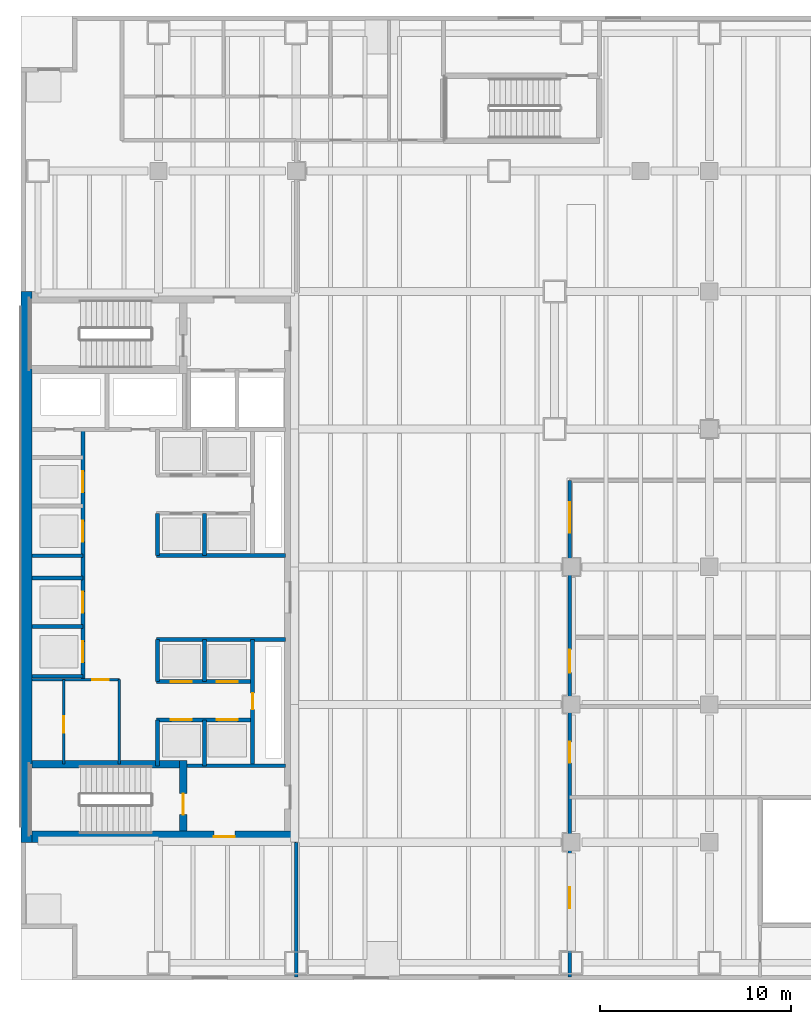
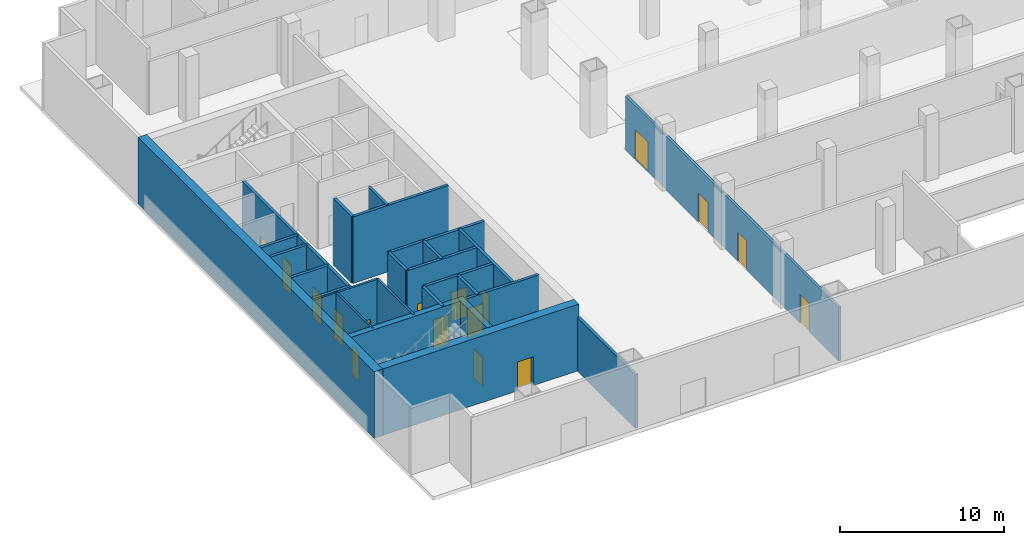
# One storey, part 9 of 17: 26 walls, 17 doors, 17 openings.
"""IFC4 building model written with IfcOpenShell, lengths in metres."""

from ifc_helpers import new_model, si_unit, direction, frame, frame_2d, origin, place, context, subcontext, project, spatial, rectangle, extrude, material, layer, layer_set, type_object, element, fill, save


model = new_model("IFC4")

# Units and contexts
model_context = context("Model", 3, precision=1e-05, world=origin(), true_north=direction((0.0, 1.0)))
body_context = subcontext(model_context, "Body", "Model", "MODEL_VIEW")
ifc_project = project(units=[si_unit("LENGTHUNIT", "METRE"), si_unit("AREAUNIT", "SQUARE_METRE"), si_unit("VOLUMEUNIT", "CUBIC_METRE"), si_unit("PLANEANGLEUNIT", "RADIAN"), si_unit("MASSUNIT", "GRAM", prefix="KILO")], contexts=[model_context])

# Site, building, storey
site_placement = place(None, origin())
site = spatial("IfcSite", under=ifc_project, at=site_placement, CompositionType="ELEMENT")
building_placement = place(site_placement, origin())
building = spatial("IfcBuilding", under=site, at=building_placement, Name="Cobrela Telecom Tower", CompositionType="ELEMENT")
storey_placement = place(building_placement, origin())
storey = spatial("IfcBuildingStorey", under=building, at=storey_placement, Name="L00", CompositionType="ELEMENT", Elevation=0.0)

# Wall
ifc_material_1 = material(Name="Concrete C50/60", Category="concrete")
ifc_layer_1 = layer(ifc_material_1, 0.60009765625)
ifc_layer_set_1 = layer_set([ifc_layer_1], Name="Concrete C50/60")
wall_type_1 = type_object("IfcWallType", Name="WALL-CORE-C50-600", PredefinedType="SHEAR", material=ifc_layer_set_1)
wall_1_placement = place(storey_placement, frame((0.300048828125, 7.199951171875, 0.0), z_axis=(0.0, 0.0, 1.0), x_axis=(0.0, 1.0, 0.0)))
element("IfcWall", 1, at=wall_1_placement, inside=storey, type_object=wall_type_1, Name="L00 West Core Shear Wall", PredefinedType="SHEAR", context=body_context, shape_type="SweptSolid", body=[
    extrude(rectangle(XDim=28.800048828125, YDim=0.60009765625, at=frame_2d((14.39990234375, 0.0))), origin(), (0.0, 0.0, 1.0), 4.949951171875),
])

# Wall, opening, door
wall_2_placement = place(storey_placement, frame((0.60009765625, 7.5, 0.0), z_axis=(0.0, 0.0, 1.0), x_axis=(1.0, 0.0, 0.0)))
wall_2 = element("IfcWall", 2, at=wall_2_placement, inside=storey, type_object=wall_type_1, Name="L00 South Core Shear Wall", PredefinedType="SHEAR", context=body_context, shape_type="SweptSolid", body=[
    extrude(rectangle(XDim=13.7998046875, YDim=0.60009765625, at=frame_2d((6.89990234375, 0.0))), origin(), (0.0, 0.0, 1.0), 4.949951171875),
])
opening_1_placement = place(wall_2_placement, frame((9.5, 0.0, 0.0)))
opening_1 = element("IfcOpeningElement", 3, at=opening_1_placement, cuts=wall_2, Name="Opening FD-90", PredefinedType="OPENING", context=body_context, shape_type="SweptSolid", body=[
    extrude(rectangle(XDim=1.10009765625, YDim=2.14990234375, at=frame_2d((0.550048828125, 1.074951171875))), frame((0.0, 0.31201171875, 0.0), z_axis=(0.0, -1.0, 0.0), x_axis=(1.0, 0.0, 0.0)), (0.0, 0.0, 1.0), 0.6240234375),
])
ifc_material_2 = material(Name="Steel ASTM A36", Category="steel")
door_type_1 = type_object("IfcDoorType", Name="DOOR-FD90-1100", OperationType="SINGLE_SWING_LEFT", PredefinedType="DOOR", material=ifc_material_2)
door_1_placement = place(opening_1_placement, origin())
door_1 = element("IfcDoor", 4, at=door_1_placement, inside=storey, type_object=door_type_1, Name="L00 Door FD-90", OperationType="SINGLE_SWING_RIGHT", OverallHeight=2.14990234375, OverallWidth=1.10009765625, PredefinedType="DOOR", context=body_context, shape_type="SweptSolid", body=[
    extrude(rectangle(XDim=1.10009765625, YDim=2.14990234375, at=frame_2d((0.550048828125, 1.074951171875))), frame((0.0, 0.02490234375, 0.0), z_axis=(0.0, -1.0, 0.0), x_axis=(1.0, 0.0, 0.0)), (0.0, 0.0, 1.0), 0.050048828125),
])
fill(opening_1, door_1)

ifc_material_3 = material(Name="Fire-Rated Gypsum Plasterboard")
ifc_layer_2 = layer(ifc_material_3, 0.125)
ifc_layer_set_2 = layer_set([ifc_layer_2], Name="Fire-Rated Gypsum Plasterboard")
wall_type_2 = type_object("IfcWallType", Name="WALL-PART-125", PredefinedType="PARTITIONING", material=ifc_layer_set_2)
wall_3_placement = place(storey_placement, frame((2.25, 11.280029296875, 0.0), z_axis=(0.0, 0.0, 1.0), x_axis=(0.0, 1.0, 0.0)))
wall_3 = element("IfcWall", 5, at=wall_3_placement, inside=storey, type_object=wall_type_2, Name="L00 Interior Partition CW-FK0-V", PredefinedType="PARTITIONING", context=body_context, shape_type="SweptSolid", body=[
    extrude(rectangle(XDim=4.419921875, YDim=0.125, at=frame_2d((2.2099609375, 0.0))), origin(), (0.0, 0.0, 1.0), 4.949951171875),
])
opening_2_placement = place(wall_3_placement, frame((1.64990234375, 0.0, 0.0)))
opening_2 = element("IfcOpeningElement", 6, at=opening_2_placement, cuts=wall_3, Name="Opening DR-11", PredefinedType="OPENING", context=body_context, shape_type="SweptSolid", body=[
    extrude(rectangle(XDim=0.85009765625, YDim=2.14990234375, at=frame_2d((0.425048828125, 1.074951171875))), frame((0.0, 0.074462890625, 0.0), z_axis=(0.0, -1.0, 0.0), x_axis=(1.0, 0.0, 0.0)), (0.0, 0.0, 1.0), 0.14892578125),
])
ifc_material_4 = material(Name="Solid Engineered Oak Timber", Category="wood")
door_type_2 = type_object("IfcDoorType", Name="DOOR-INT-850", OperationType="SINGLE_SWING_LEFT", PredefinedType="DOOR", material=ifc_material_4)
door_2_placement = place(opening_2_placement, origin())
door_2 = element("IfcDoor", 7, at=door_2_placement, inside=storey, type_object=door_type_2, Name="L00 Door DR-11", OperationType="SINGLE_SWING_LEFT", OverallHeight=2.14990234375, OverallWidth=0.85009765625, PredefinedType="DOOR", context=body_context, shape_type="SweptSolid", body=[
    extrude(rectangle(XDim=0.85009765625, YDim=2.14990234375, at=frame_2d((0.425048828125, 1.074951171875))), frame((0.0, 0.02490234375, 0.0), z_axis=(0.0, -1.0, 0.0), x_axis=(1.0, 0.0, 0.0)), (0.0, 0.0, 1.0), 0.050048828125),
])
fill(opening_2, door_2)

ifc_layer_3 = layer(ifc_material_3, 0.14990234375)
ifc_layer_set_3 = layer_set([ifc_layer_3], Name="Fire-Rated Gypsum Plasterboard")
wall_type_3 = type_object("IfcWallType", Name="WALL-PART-150", PredefinedType="PARTITIONING", material=ifc_layer_set_3)
wall_4_placement = place(storey_placement, frame((0.60009765625, 15.699951171875, 0.0), z_axis=(0.0, 0.0, 1.0), x_axis=(1.0, 0.0, 0.0)))
wall_4 = element("IfcWall", 8, at=wall_4_placement, inside=storey, type_object=wall_type_3, Name="L00 Interior Partition CW-FLEX-N", PredefinedType="PARTITIONING", context=body_context, shape_type="SweptSolid", body=[
    extrude(rectangle(XDim=4.5498046875, YDim=0.14990234375, at=frame_2d((2.27490234375, 0.0))), origin(), (0.0, 0.0, 1.0), 4.949951171875),
])
opening_3_placement = place(wall_4_placement, frame((3.14990234375, 0.0, 0.0)))
opening_3 = element("IfcOpeningElement", 9, at=opening_3_placement, cuts=wall_4, Name="Opening DR-11", PredefinedType="OPENING", context=body_context, shape_type="SweptSolid", body=[
    extrude(rectangle(XDim=0.85009765625, YDim=2.14990234375, at=frame_2d((0.425048828125, 1.074951171875))), frame((0.0, 0.0869140625, 0.0), z_axis=(0.0, -1.0, 0.0), x_axis=(1.0, 0.0, 0.0)), (0.0, 0.0, 1.0), 0.173828125),
])
door_3_placement = place(opening_3_placement, origin())
door_3 = element("IfcDoor", 10, at=door_3_placement, inside=storey, type_object=door_type_2, Name="L00 Door DR-11", OperationType="SINGLE_SWING_RIGHT", OverallHeight=2.14990234375, OverallWidth=0.85009765625, PredefinedType="DOOR", context=body_context, shape_type="SweptSolid", body=[
    extrude(rectangle(XDim=0.85009765625, YDim=2.14990234375, at=frame_2d((0.425048828125, 1.074951171875))), frame((0.0, 0.02490234375, 0.0), z_axis=(0.0, -1.0, 0.0), x_axis=(1.0, 0.0, 0.0)), (0.0, 0.0, 1.0), 0.050048828125),
])
fill(opening_3, door_3)

# Wall
wall_5_placement = place(storey_placement, frame((5.14990234375, 11.280029296875, 0.0), z_axis=(0.0, 0.0, 1.0), x_axis=(0.0, 1.0, 0.0)))
element("IfcWall", 11, at=wall_5_placement, inside=storey, type_object=wall_type_3, Name="L00 Interior Partition CW-FLEX-E", PredefinedType="PARTITIONING", context=body_context, shape_type="SweptSolid", body=[
    extrude(rectangle(XDim=4.419921875, YDim=0.14990234375, at=frame_2d((2.2099609375, 0.0))), origin(), (0.0, 0.0, 1.0), 4.949951171875),
])

# Wall, openings, doors
ifc_layer_4 = layer(ifc_material_3, 0.175048828125)
ifc_layer_set_4 = layer_set([ifc_layer_4], Name="Fire-Rated Gypsum Plasterboard")
wall_type_4 = type_object("IfcWallType", Name="WALL-PART-175", PredefinedType="PARTITIONING", material=ifc_layer_set_4)
wall_6_placement = place(storey_placement, frame((28.699951171875, 0.14990234375, 0.0), z_axis=(0.0, 0.0, 1.0), x_axis=(0.0, 1.0, 0.0)))
wall_6 = element("IfcWall", 12, at=wall_6_placement, inside=storey, type_object=wall_type_4, Name="L00 Interior Partition W-CONC-ES", PredefinedType="PARTITIONING", context=body_context, shape_type="SweptSolid", body=[
    extrude(rectangle(XDim=25.97021484375, YDim=0.175048828125, at=frame_2d((12.985107421875, 0.0))), origin(), (0.0, 0.0, 1.0), 3.988037109375),
])
opening_4_placement = place(wall_6_placement, frame((11.199951171875, 0.0, 0.0)))
opening_4 = element("IfcOpeningElement", 13, at=opening_4_placement, cuts=wall_6, Name="Opening DR-59", PredefinedType="OPENING", context=body_context, shape_type="SweptSolid", body=[
    extrude(rectangle(XDim=1.10009765625, YDim=2.14990234375, at=frame_2d((0.550048828125, 1.074951171875))), frame((0.0, 0.099609375, 0.0), z_axis=(0.0, -1.0, 0.0), x_axis=(1.0, 0.0, 0.0)), (0.0, 0.0, 1.0), 0.198974609375),
])
opening_5_placement = place(wall_6_placement, frame((15.919921875, 0.0, 0.0)))
opening_5 = element("IfcOpeningElement", 14, at=opening_5_placement, cuts=wall_6, Name="Opening DR-19", PredefinedType="OPENING", context=body_context, shape_type="SweptSolid", body=[
    extrude(rectangle(XDim=1.199951171875, YDim=2.14990234375, at=frame_2d((0.60009765625, 1.074951171875))), frame((0.0, 0.099609375, 0.0), z_axis=(0.0, -1.0, 0.0), x_axis=(1.0, 0.0, 0.0)), (0.0, 0.0, 1.0), 0.198974609375),
])
opening_6_placement = place(wall_6_placement, frame((23.239990234375, 0.0, 0.0)))
opening_6 = element("IfcOpeningElement", 15, at=opening_6_placement, cuts=wall_6, Name="Opening DR-21", PredefinedType="OPENING", context=body_context, shape_type="SweptSolid", body=[
    extrude(rectangle(XDim=1.60009765625, YDim=2.199951171875, at=frame_2d((0.800048828125, 1.10009765625))), frame((0.0, 0.099609375, 0.0), z_axis=(0.0, -1.0, 0.0), x_axis=(1.0, 0.0, 0.0)), (0.0, 0.0, 1.0), 0.198974609375),
])
opening_7_placement = place(wall_6_placement, frame((3.60009765625, 0.0, 0.0)))
opening_7 = element("IfcOpeningElement", 16, at=opening_7_placement, cuts=wall_6, Name="Opening DR-61", PredefinedType="OPENING", context=body_context, shape_type="SweptSolid", body=[
    extrude(rectangle(XDim=1.10009765625, YDim=2.14990234375, at=frame_2d((0.550048828125, 1.074951171875))), frame((0.0, 0.099609375, 0.0), z_axis=(0.0, -1.0, 0.0), x_axis=(1.0, 0.0, 0.0)), (0.0, 0.0, 1.0), 0.198974609375),
])
door_type_3 = type_object("IfcDoorType", Name="DOOR-FD60-1100", OperationType="SINGLE_SWING_LEFT", PredefinedType="DOOR", material=ifc_material_2)
door_4_placement = place(opening_4_placement, origin())
door_4 = element("IfcDoor", 17, at=door_4_placement, inside=storey, type_object=door_type_3, Name="L00 Door DR-59", OperationType="SINGLE_SWING_RIGHT", OverallHeight=2.14990234375, OverallWidth=1.10009765625, PredefinedType="DOOR", context=body_context, shape_type="SweptSolid", body=[
    extrude(rectangle(XDim=1.10009765625, YDim=2.14990234375, at=frame_2d((0.550048828125, 1.074951171875))), frame((0.0, 0.02490234375, 0.0), z_axis=(0.0, -1.0, 0.0), x_axis=(1.0, 0.0, 0.0)), (0.0, 0.0, 1.0), 0.050048828125),
])
fill(opening_4, door_4)
door_type_4 = type_object("IfcDoorType", Name="DOOR-FD60-1200", OperationType="SINGLE_SWING_LEFT", PredefinedType="DOOR", material=ifc_material_2)
door_5_placement = place(opening_5_placement, origin())
door_5 = element("IfcDoor", 18, at=door_5_placement, inside=storey, type_object=door_type_4, Name="L00 Door DR-19", OperationType="SINGLE_SWING_LEFT", OverallHeight=2.14990234375, OverallWidth=1.199951171875, PredefinedType="DOOR", context=body_context, shape_type="SweptSolid", body=[
    extrude(rectangle(XDim=1.199951171875, YDim=2.14990234375, at=frame_2d((0.60009765625, 1.074951171875))), frame((0.0, 0.02490234375, 0.0), z_axis=(0.0, -1.0, 0.0), x_axis=(1.0, 0.0, 0.0)), (0.0, 0.0, 1.0), 0.050048828125),
])
fill(opening_5, door_5)
door_type_5 = type_object("IfcDoorType", Name="DOOR-INT-1100", OperationType="SINGLE_SWING_LEFT", PredefinedType="DOOR", material=ifc_material_4)
door_6_placement = place(opening_7_placement, origin())
door_6 = element("IfcDoor", 19, at=door_6_placement, inside=storey, type_object=door_type_5, Name="L00 Door DR-61", OperationType="SINGLE_SWING_LEFT", OverallHeight=2.14990234375, OverallWidth=1.10009765625, PredefinedType="DOOR", context=body_context, shape_type="SweptSolid", body=[
    extrude(rectangle(XDim=1.10009765625, YDim=2.14990234375, at=frame_2d((0.550048828125, 1.074951171875))), frame((0.0, 0.02490234375, 0.0), z_axis=(0.0, -1.0, 0.0), x_axis=(1.0, 0.0, 0.0)), (0.0, 0.0, 1.0), 0.050048828125),
])
fill(opening_7, door_6)
ifc_material_5 = material(Name="Anodized Bronze Aluminium 6063-T6", Category="aluminium")
door_type_6 = type_object("IfcDoorType", Name="DOOR-INT-1600", OperationType="SINGLE_SWING_LEFT", PredefinedType="DOOR", material=ifc_material_5)
door_7_placement = place(opening_6_placement, origin())
door_7 = element("IfcDoor", 20, at=door_7_placement, inside=storey, type_object=door_type_6, Name="L00 Door DR-21", OperationType="DOUBLE_DOOR_SINGLE_SWING", OverallHeight=2.199951171875, OverallWidth=1.60009765625, PredefinedType="DOOR", context=body_context, shape_type="SweptSolid", body=[
    extrude(rectangle(XDim=1.60009765625, YDim=2.199951171875, at=frame_2d((0.800048828125, 1.10009765625))), frame((0.0, 0.02490234375, 0.0), z_axis=(0.0, -1.0, 0.0), x_axis=(1.0, 0.0, 0.0)), (0.0, 0.0, 1.0), 0.050048828125),
])
fill(opening_6, door_7)

# Wall
ifc_layer_5 = layer(ifc_material_3, 0.199951171875)
ifc_layer_set_5 = layer_set([ifc_layer_5], Name="Fire-Rated Gypsum Plasterboard")
wall_type_5 = type_object("IfcWallType", Name="WALL-SHAFT-200", PredefinedType="PARTITIONING", material=ifc_layer_set_5)
wall_7_placement = place(storey_placement, frame((8.699951171875, 11.199951171875, 0.0), z_axis=(0.0, 0.0, 1.0), x_axis=(1.0, 0.0, 0.0)))
element("IfcWall", 21, at=wall_7_placement, inside=storey, type_object=wall_type_5, Name="L00 Shaft Enclosure CW-ST2L-N", PredefinedType="PARTITIONING", context=body_context, shape_type="SweptSolid", body=[
    extrude(rectangle(XDim=5.150146484375, YDim=0.199951171875, at=frame_2d((2.5751953125, 0.0))), origin(), (0.0, 0.0, 1.0), 4.949951171875),
])

# Wall, openings, doors
wall_8_placement = place(storey_placement, frame((3.25, 15.699951171875, 0.0), z_axis=(0.0, 0.0, 1.0), x_axis=(0.0, 1.0, 0.0)))
wall_8 = element("IfcWall", 22, at=wall_8_placement, inside=storey, type_object=wall_type_5, Name="L00 Shaft Enclosure CW-PLH-E", PredefinedType="PARTITIONING", context=body_context, shape_type="SweptSolid", body=[
    extrude(rectangle(XDim=13.080078125, YDim=0.199951171875, at=frame_2d((6.5400390625, 0.0))), origin(), (0.0, 0.0, 1.0), 4.949951171875),
])
opening_8_placement = place(wall_8_placement, frame((0.89990234375, 0.0, 0.0)))
opening_8 = element("IfcOpeningElement", 23, at=opening_8_placement, cuts=wall_8, Name="Opening LD-1", PredefinedType="OPENING", context=body_context, shape_type="SweptSolid", body=[
    extrude(rectangle(XDim=1.10009765625, YDim=2.199951171875, at=frame_2d((0.550048828125, 1.10009765625))), frame((0.0, 0.11181640625, 0.0), z_axis=(0.0, -1.0, 0.0), x_axis=(1.0, 0.0, 0.0)), (0.0, 0.0, 1.0), 0.223876953125),
])
opening_9_placement = place(wall_8_placement, frame((3.5, 0.0, 0.0)))
opening_9 = element("IfcOpeningElement", 24, at=opening_9_placement, cuts=wall_8, Name="Opening LD-1", PredefinedType="OPENING", context=body_context, shape_type="SweptSolid", body=[
    extrude(rectangle(XDim=1.10009765625, YDim=2.199951171875, at=frame_2d((0.550048828125, 1.10009765625))), frame((0.0, 0.11181640625, 0.0), z_axis=(0.0, -1.0, 0.0), x_axis=(1.0, 0.0, 0.0)), (0.0, 0.0, 1.0), 0.223876953125),
])
opening_10_placement = place(wall_8_placement, frame((7.199951171875, 0.0, 0.0)))
opening_10 = element("IfcOpeningElement", 25, at=opening_10_placement, cuts=wall_8, Name="Opening LD-1", PredefinedType="OPENING", context=body_context, shape_type="SweptSolid", body=[
    extrude(rectangle(XDim=1.10009765625, YDim=2.199951171875, at=frame_2d((0.550048828125, 1.10009765625))), frame((0.0, 0.11181640625, 0.0), z_axis=(0.0, -1.0, 0.0), x_axis=(1.0, 0.0, 0.0)), (0.0, 0.0, 1.0), 0.223876953125),
])
opening_11_placement = place(wall_8_placement, frame((9.800048828125, 0.0, 0.0)))
opening_11 = element("IfcOpeningElement", 26, at=opening_11_placement, cuts=wall_8, Name="Opening LD-1", PredefinedType="OPENING", context=body_context, shape_type="SweptSolid", body=[
    extrude(rectangle(XDim=1.10009765625, YDim=2.199951171875, at=frame_2d((0.550048828125, 1.10009765625))), frame((0.0, 0.11181640625, 0.0), z_axis=(0.0, -1.0, 0.0), x_axis=(1.0, 0.0, 0.0)), (0.0, 0.0, 1.0), 0.223876953125),
])
door_type_7 = type_object("IfcDoorType", Name="DOOR-LD-PL", OperationType="SINGLE_SWING_LEFT", PredefinedType="DOOR", material=ifc_material_2)
door_8_placement = place(opening_8_placement, origin())
door_8 = element("IfcDoor", 27, at=door_8_placement, inside=storey, type_object=door_type_7, Name="L00 Lift Landing Door LD-1", OperationType="DOUBLE_DOOR_SLIDING", OverallHeight=2.199951171875, OverallWidth=1.10009765625, PredefinedType="DOOR", context=body_context, shape_type="SweptSolid", body=[
    extrude(rectangle(XDim=1.10009765625, YDim=2.199951171875, at=frame_2d((0.550048828125, 1.10009765625))), frame((0.0, 0.02490234375, 0.0), z_axis=(0.0, -1.0, 0.0), x_axis=(1.0, 0.0, 0.0)), (0.0, 0.0, 1.0), 0.050048828125),
])
fill(opening_8, door_8)
door_9_placement = place(opening_9_placement, origin())
door_9 = element("IfcDoor", 28, at=door_9_placement, inside=storey, type_object=door_type_7, Name="L00 Lift Landing Door LD-1", OperationType="DOUBLE_DOOR_SLIDING", OverallHeight=2.199951171875, OverallWidth=1.10009765625, PredefinedType="DOOR", context=body_context, shape_type="SweptSolid", body=[
    extrude(rectangle(XDim=1.10009765625, YDim=2.199951171875, at=frame_2d((0.550048828125, 1.10009765625))), frame((0.0, 0.02490234375, 0.0), z_axis=(0.0, -1.0, 0.0), x_axis=(1.0, 0.0, 0.0)), (0.0, 0.0, 1.0), 0.050048828125),
])
fill(opening_9, door_9)
door_10_placement = place(opening_10_placement, origin())
door_10 = element("IfcDoor", 29, at=door_10_placement, inside=storey, type_object=door_type_7, Name="L00 Lift Landing Door LD-1", OperationType="DOUBLE_DOOR_SLIDING", OverallHeight=2.199951171875, OverallWidth=1.10009765625, PredefinedType="DOOR", context=body_context, shape_type="SweptSolid", body=[
    extrude(rectangle(XDim=1.10009765625, YDim=2.199951171875, at=frame_2d((0.550048828125, 1.10009765625))), frame((0.0, 0.02490234375, 0.0), z_axis=(0.0, -1.0, 0.0), x_axis=(1.0, 0.0, 0.0)), (0.0, 0.0, 1.0), 0.050048828125),
])
fill(opening_10, door_10)
door_11_placement = place(opening_11_placement, origin())
door_11 = element("IfcDoor", 30, at=door_11_placement, inside=storey, type_object=door_type_7, Name="L00 Lift Landing Door LD-1", OperationType="DOUBLE_DOOR_SLIDING", OverallHeight=2.199951171875, OverallWidth=1.10009765625, PredefinedType="DOOR", context=body_context, shape_type="SweptSolid", body=[
    extrude(rectangle(XDim=1.10009765625, YDim=2.199951171875, at=frame_2d((0.550048828125, 1.10009765625))), frame((0.0, 0.02490234375, 0.0), z_axis=(0.0, -1.0, 0.0), x_axis=(1.0, 0.0, 0.0)), (0.0, 0.0, 1.0), 0.050048828125),
])
fill(opening_11, door_11)

# Walls
for number, where, z_axis, x_axis, name in (
    (31, (0.60009765625, 15.8798828125, 0.0), (0.0, 0.0, 1.0), (1.0, 0.0, 0.0), "L00 Shaft Enclosure CW-PLH-D9"),
    (32, (0.60009765625, 18.47998046875, 0.0), (0.0, 0.0, 1.0), (1.0, 0.0, 0.0), "L00 Shaft Enclosure CW-PLH-D10"),
    (33, (0.60009765625, 22.179931640625, 0.0), (0.0, 0.0, 1.0), (1.0, 0.0, 0.0), "L00 Shaft Enclosure CW-PLH-D11"),
    (34, (0.60009765625, 21.02001953125, 0.0), (0.0, 0.0, 1.0), (1.0, 0.0, 0.0), "L00 Shaft Enclosure CW-PLH-MID"),
):
    element("IfcWall", number, at=place(storey_placement, frame(where, z_axis=z_axis, x_axis=x_axis)), inside=storey, type_object=wall_type_5, Name=name, PredefinedType="PARTITIONING", context=body_context, shape_type="SweptSolid", body=[
        extrude(rectangle(XDim=2.64990234375, YDim=0.199951171875, at=frame_2d((1.324951171875, 0.0))), origin(), (0.0, 0.0, 1.0), 4.949951171875),
    ])
wall_9_placement = place(storey_placement, frame((7.10009765625, 22.199951171875, 0.0), z_axis=(0.0, 0.0, 1.0), x_axis=(1.0, 0.0, 0.0)))
element("IfcWall", 35, at=wall_9_placement, inside=storey, type_object=wall_type_5, Name="L00 Shaft Enclosure CW-PLL-B0", PredefinedType="PARTITIONING", context=body_context, shape_type="SweptSolid", body=[
    extrude(rectangle(XDim=6.75, YDim=0.199951171875, at=frame_2d((3.375, 0.0))), origin(), (0.0, 0.0, 1.0), 4.949951171875),
])
for number, where, z_axis, x_axis, name in (
    (36, (7.14990234375, 22.199951171875, 0.0), (0.0, 0.0, 1.0), (0.0, 1.0, 0.0), "L00 Shaft Enclosure CW-PLL-V1"),
    (37, (9.60009765625, 22.199951171875, 0.0), (0.0, 0.0, 1.0), (0.0, 1.0, 0.0), "L00 Shaft Enclosure CW-PLL-V2"),
):
    element("IfcWall", number, at=place(storey_placement, frame(where, z_axis=z_axis, x_axis=x_axis)), inside=storey, type_object=wall_type_5, Name=name, PredefinedType="PARTITIONING", context=body_context, shape_type="SweptSolid", body=[
        extrude(rectangle(XDim=2.199951171875, YDim=0.199951171875, at=frame_2d((1.10009765625, 0.0))), origin(), (0.0, 0.0, 1.0), 4.949951171875),
    ])
wall_10_placement = place(storey_placement, frame((7.10009765625, 17.800048828125, 0.0), z_axis=(0.0, 0.0, 1.0), x_axis=(1.0, 0.0, 0.0)))
element("IfcWall", 38, at=wall_10_placement, inside=storey, type_object=wall_type_5, Name="L00 Shaft Enclosure CW-PLM-T0", PredefinedType="PARTITIONING", context=body_context, shape_type="SweptSolid", body=[
    extrude(rectangle(XDim=6.75, YDim=0.199951171875, at=frame_2d((3.375, 0.0))), origin(), (0.0, 0.0, 1.0), 4.949951171875),
])

# Wall, openings, doors
wall_11_placement = place(storey_placement, frame((7.10009765625, 15.60009765625, 0.0), z_axis=(0.0, 0.0, 1.0), x_axis=(1.0, 0.0, 0.0)))
wall_11 = element("IfcWall", 39, at=wall_11_placement, inside=storey, type_object=wall_type_5, Name="L00 Shaft Enclosure CW-PLM-N", PredefinedType="PARTITIONING", context=body_context, shape_type="SweptSolid", body=[
    extrude(rectangle(XDim=5.02001953125, YDim=0.199951171875, at=frame_2d((2.510009765625, 0.0))), origin(), (0.0, 0.0, 1.0), 4.949951171875),
])
opening_12_placement = place(wall_11_placement, frame((0.75, 0.0, 0.0)))
opening_12 = element("IfcOpeningElement", 40, at=opening_12_placement, cuts=wall_11, Name="Opening LD-1", PredefinedType="OPENING", context=body_context, shape_type="SweptSolid", body=[
    extrude(rectangle(XDim=1.10009765625, YDim=2.199951171875, at=frame_2d((0.550048828125, 1.10009765625))), frame((0.0, 0.11181640625, 0.0), z_axis=(0.0, -1.0, 0.0), x_axis=(1.0, 0.0, 0.0)), (0.0, 0.0, 1.0), 0.223876953125),
])
opening_13_placement = place(wall_11_placement, frame((3.14990234375, 0.0, 0.0)))
opening_13 = element("IfcOpeningElement", 41, at=opening_13_placement, cuts=wall_11, Name="Opening LD-1", PredefinedType="OPENING", context=body_context, shape_type="SweptSolid", body=[
    extrude(rectangle(XDim=1.10009765625, YDim=2.199951171875, at=frame_2d((0.550048828125, 1.10009765625))), frame((0.0, 0.11181640625, 0.0), z_axis=(0.0, -1.0, 0.0), x_axis=(1.0, 0.0, 0.0)), (0.0, 0.0, 1.0), 0.223876953125),
])
door_12_placement = place(opening_12_placement, origin())
door_12 = element("IfcDoor", 42, at=door_12_placement, inside=storey, type_object=door_type_7, Name="L00 Lift Landing Door LD-1", OperationType="DOUBLE_DOOR_SLIDING", OverallHeight=2.199951171875, OverallWidth=1.10009765625, PredefinedType="DOOR", context=body_context, shape_type="SweptSolid", body=[
    extrude(rectangle(XDim=1.10009765625, YDim=2.199951171875, at=frame_2d((0.550048828125, 1.10009765625))), frame((0.0, 0.02490234375, 0.0), z_axis=(0.0, -1.0, 0.0), x_axis=(1.0, 0.0, 0.0)), (0.0, 0.0, 1.0), 0.050048828125),
])
fill(opening_12, door_12)
door_13_placement = place(opening_13_placement, origin())
door_13 = element("IfcDoor", 43, at=door_13_placement, inside=storey, type_object=door_type_7, Name="L00 Lift Landing Door LD-1", OperationType="DOUBLE_DOOR_SLIDING", OverallHeight=2.199951171875, OverallWidth=1.10009765625, PredefinedType="DOOR", context=body_context, shape_type="SweptSolid", body=[
    extrude(rectangle(XDim=1.10009765625, YDim=2.199951171875, at=frame_2d((0.550048828125, 1.10009765625))), frame((0.0, 0.02490234375, 0.0), z_axis=(0.0, -1.0, 0.0), x_axis=(1.0, 0.0, 0.0)), (0.0, 0.0, 1.0), 0.050048828125),
])
fill(opening_13, door_13)

wall_12_placement = place(storey_placement, frame((7.10009765625, 13.60009765625, 0.0), z_axis=(0.0, 0.0, 1.0), x_axis=(1.0, 0.0, 0.0)))
wall_12 = element("IfcWall", 44, at=wall_12_placement, inside=storey, type_object=wall_type_5, Name="L00 Shaft Enclosure CW-PLM-S", PredefinedType="PARTITIONING", context=body_context, shape_type="SweptSolid", body=[
    extrude(rectangle(XDim=5.02001953125, YDim=0.199951171875, at=frame_2d((2.510009765625, 0.0))), origin(), (0.0, 0.0, 1.0), 4.949951171875),
])
opening_14_placement = place(wall_12_placement, frame((0.75, 0.0, 0.0)))
opening_14 = element("IfcOpeningElement", 45, at=opening_14_placement, cuts=wall_12, Name="Opening LD-1", PredefinedType="OPENING", context=body_context, shape_type="SweptSolid", body=[
    extrude(rectangle(XDim=1.10009765625, YDim=2.199951171875, at=frame_2d((0.550048828125, 1.10009765625))), frame((0.0, 0.11181640625, 0.0), z_axis=(0.0, -1.0, 0.0), x_axis=(1.0, 0.0, 0.0)), (0.0, 0.0, 1.0), 0.223876953125),
])
opening_15_placement = place(wall_12_placement, frame((3.14990234375, 0.0, 0.0)))
opening_15 = element("IfcOpeningElement", 46, at=opening_15_placement, cuts=wall_12, Name="Opening LD-1", PredefinedType="OPENING", context=body_context, shape_type="SweptSolid", body=[
    extrude(rectangle(XDim=1.10009765625, YDim=2.199951171875, at=frame_2d((0.550048828125, 1.10009765625))), frame((0.0, 0.11181640625, 0.0), z_axis=(0.0, -1.0, 0.0), x_axis=(1.0, 0.0, 0.0)), (0.0, 0.0, 1.0), 0.223876953125),
])
door_14_placement = place(opening_14_placement, origin())
door_14 = element("IfcDoor", 47, at=door_14_placement, inside=storey, type_object=door_type_7, Name="L00 Lift Landing Door LD-1", OperationType="DOUBLE_DOOR_SLIDING", OverallHeight=2.199951171875, OverallWidth=1.10009765625, PredefinedType="DOOR", context=body_context, shape_type="SweptSolid", body=[
    extrude(rectangle(XDim=1.10009765625, YDim=2.199951171875, at=frame_2d((0.550048828125, 1.10009765625))), frame((0.0, 0.02490234375, 0.0), z_axis=(0.0, -1.0, 0.0), x_axis=(1.0, 0.0, 0.0)), (0.0, 0.0, 1.0), 0.050048828125),
])
fill(opening_14, door_14)
door_15_placement = place(opening_15_placement, origin())
door_15 = element("IfcDoor", 48, at=door_15_placement, inside=storey, type_object=door_type_7, Name="L00 Lift Landing Door LD-1", OperationType="DOUBLE_DOOR_SLIDING", OverallHeight=2.199951171875, OverallWidth=1.10009765625, PredefinedType="DOOR", context=body_context, shape_type="SweptSolid", body=[
    extrude(rectangle(XDim=1.10009765625, YDim=2.199951171875, at=frame_2d((0.550048828125, 1.10009765625))), frame((0.0, 0.02490234375, 0.0), z_axis=(0.0, -1.0, 0.0), x_axis=(1.0, 0.0, 0.0)), (0.0, 0.0, 1.0), 0.050048828125),
])
fill(opening_15, door_15)

# Walls
wall_13_placement = place(storey_placement, frame((7.14990234375, 15.60009765625, 0.0), z_axis=(0.0, 0.0, 1.0), x_axis=(0.0, 1.0, 0.0)))
element("IfcWall", 49, at=wall_13_placement, inside=storey, type_object=wall_type_5, Name="L00 Shaft Enclosure CW-PLM-V1", PredefinedType="PARTITIONING", context=body_context, shape_type="SweptSolid", body=[
    extrude(rectangle(XDim=2.199951171875, YDim=0.199951171875, at=frame_2d((1.10009765625, 0.0))), origin(), (0.0, 0.0, 1.0), 4.949951171875),
])
wall_14_placement = place(storey_placement, frame((7.14990234375, 11.199951171875, 0.0), z_axis=(0.0, 0.0, 1.0), x_axis=(0.0, 1.0, 0.0)))
element("IfcWall", 50, at=wall_14_placement, inside=storey, type_object=wall_type_5, Name="L00 Shaft Enclosure CW-PLM-V1B", PredefinedType="PARTITIONING", context=body_context, shape_type="SweptSolid", body=[
    extrude(rectangle(XDim=2.400146484375, YDim=0.199951171875, at=frame_2d((1.2001953125, 0.0))), origin(), (0.0, 0.0, 1.0), 4.949951171875),
])
wall_15_placement = place(storey_placement, frame((9.60009765625, 15.60009765625, 0.0), z_axis=(0.0, 0.0, 1.0), x_axis=(0.0, 1.0, 0.0)))
element("IfcWall", 51, at=wall_15_placement, inside=storey, type_object=wall_type_5, Name="L00 Shaft Enclosure CW-PLM-V2", PredefinedType="PARTITIONING", context=body_context, shape_type="SweptSolid", body=[
    extrude(rectangle(XDim=2.199951171875, YDim=0.199951171875, at=frame_2d((1.10009765625, 0.0))), origin(), (0.0, 0.0, 1.0), 4.949951171875),
])
wall_16_placement = place(storey_placement, frame((9.60009765625, 11.199951171875, 0.0), z_axis=(0.0, 0.0, 1.0), x_axis=(0.0, 1.0, 0.0)))
element("IfcWall", 52, at=wall_16_placement, inside=storey, type_object=wall_type_5, Name="L00 Shaft Enclosure CW-PLM-V2B", PredefinedType="PARTITIONING", context=body_context, shape_type="SweptSolid", body=[
    extrude(rectangle(XDim=2.400146484375, YDim=0.199951171875, at=frame_2d((1.2001953125, 0.0))), origin(), (0.0, 0.0, 1.0), 4.949951171875),
])

# Wall, opening, door
wall_17_placement = place(storey_placement, frame((12.1201171875, 11.199951171875, 0.0), z_axis=(0.0, 0.0, 1.0), x_axis=(0.0, 1.0, 0.0)))
wall_17 = element("IfcWall", 53, at=wall_17_placement, inside=storey, type_object=wall_type_5, Name="L00 Shaft Enclosure CW-PLM-V3", PredefinedType="PARTITIONING", context=body_context, shape_type="SweptSolid", body=[
    extrude(rectangle(XDim=6.60009765625, YDim=0.199951171875, at=frame_2d((3.300048828125, 0.0))), origin(), (0.0, 0.0, 1.0), 4.949951171875),
])
opening_16_placement = place(wall_17_placement, frame((2.949951171875, 0.0, 0.0)))
opening_16 = element("IfcOpeningElement", 54, at=opening_16_placement, cuts=wall_17, Name="Opening DR-11", PredefinedType="OPENING", context=body_context, shape_type="SweptSolid", body=[
    extrude(rectangle(XDim=0.85009765625, YDim=2.14990234375, at=frame_2d((0.425048828125, 1.074951171875))), frame((0.0, 0.11181640625, 0.0), z_axis=(0.0, -1.0, 0.0), x_axis=(1.0, 0.0, 0.0)), (0.0, 0.0, 1.0), 0.223876953125),
])
door_16_placement = place(opening_16_placement, origin())
door_16 = element("IfcDoor", 55, at=door_16_placement, inside=storey, type_object=door_type_2, Name="L00 Door DR-11", OperationType="SINGLE_SWING_RIGHT", OverallHeight=2.14990234375, OverallWidth=0.85009765625, PredefinedType="DOOR", context=body_context, shape_type="SweptSolid", body=[
    extrude(rectangle(XDim=0.85009765625, YDim=2.14990234375, at=frame_2d((0.425048828125, 1.074951171875))), frame((0.0, 0.02490234375, 0.0), z_axis=(0.0, -1.0, 0.0), x_axis=(1.0, 0.0, 0.0)), (0.0, 0.0, 1.0), 0.050048828125),
])
fill(opening_16, door_16)

# Walls
wall_18_placement = place(storey_placement, frame((14.39990234375, 0.14990234375, 0.0), z_axis=(0.0, 0.0, 1.0), x_axis=(0.0, 1.0, 0.0)))
element("IfcWall", 56, at=wall_18_placement, inside=storey, type_object=wall_type_5, Name="L00 Shaft Enclosure W-EXS-E", PredefinedType="PARTITIONING", context=body_context, shape_type="SweptSolid", body=[
    extrude(rectangle(XDim=7.050048828125, YDim=0.199951171875, at=frame_2d((3.52490234375, 0.0))), origin(), (0.0, 0.0, 1.0), 3.988037109375),
])
ifc_material_6 = material(Name="Concrete C40/50", Category="concrete")
ifc_layer_6 = layer(ifc_material_6, 0.39990234375)
ifc_layer_set_6 = layer_set([ifc_layer_6], Name="Concrete C40/50")
wall_type_6 = type_object("IfcWallType", Name="WALL-SHAFT-C40-400", PredefinedType="SHEAR", material=ifc_layer_set_6)
wall_19_placement = place(storey_placement, frame((0.60009765625, 11.280029296875, 0.0), z_axis=(0.0, 0.0, 1.0), x_axis=(1.0, 0.0, 0.0)))
element("IfcWall", 57, at=wall_19_placement, inside=storey, type_object=wall_type_6, Name="L00 South Stair Shear Wall", PredefinedType="SHEAR", context=body_context, shape_type="SweptSolid", body=[
    extrude(rectangle(XDim=7.699951171875, YDim=0.39990234375, at=frame_2d((3.85009765625, 0.0))), origin(), (0.0, 0.0, 1.0), 4.949951171875),
])

# Wall, opening, door
wall_20_placement = place(storey_placement, frame((8.5, 7.800048828125, 0.0), z_axis=(0.0, 0.0, 1.0), x_axis=(0.0, 1.0, 0.0)))
wall_20 = element("IfcWall", 58, at=wall_20_placement, inside=storey, type_object=wall_type_6, Name="L00 South Stair Lobby Shear Wall", PredefinedType="SHEAR", context=body_context, shape_type="SweptSolid", body=[
    extrude(rectangle(XDim=3.679931640625, YDim=0.39990234375, at=frame_2d((1.83984375, 0.0))), origin(), (0.0, 0.0, 1.0), 4.949951171875),
])
opening_17_placement = place(wall_20_placement, frame((0.85009765625, 0.0, 0.0)))
opening_17 = element("IfcOpeningElement", 59, at=opening_17_placement, cuts=wall_20, Name="Opening FD-90", PredefinedType="OPENING", context=body_context, shape_type="SweptSolid", body=[
    extrude(rectangle(XDim=1.10009765625, YDim=2.14990234375, at=frame_2d((0.550048828125, 1.074951171875))), frame((0.0, 0.2119140625, 0.0), z_axis=(0.0, -1.0, 0.0), x_axis=(1.0, 0.0, 0.0)), (0.0, 0.0, 1.0), 0.423828125),
])
door_17_placement = place(opening_17_placement, origin())
door_17 = element("IfcDoor", 60, at=door_17_placement, inside=storey, type_object=door_type_1, Name="L00 Door FD-90", OperationType="SINGLE_SWING_LEFT", OverallHeight=2.14990234375, OverallWidth=1.10009765625, PredefinedType="DOOR", context=body_context, shape_type="SweptSolid", body=[
    extrude(rectangle(XDim=1.10009765625, YDim=2.14990234375, at=frame_2d((0.550048828125, 1.074951171875))), frame((0.0, 0.02490234375, 0.0), z_axis=(0.0, -1.0, 0.0), x_axis=(1.0, 0.0, 0.0)), (0.0, 0.0, 1.0), 0.050048828125),
])
fill(opening_17, door_17)

save(model, "model.ifc")
